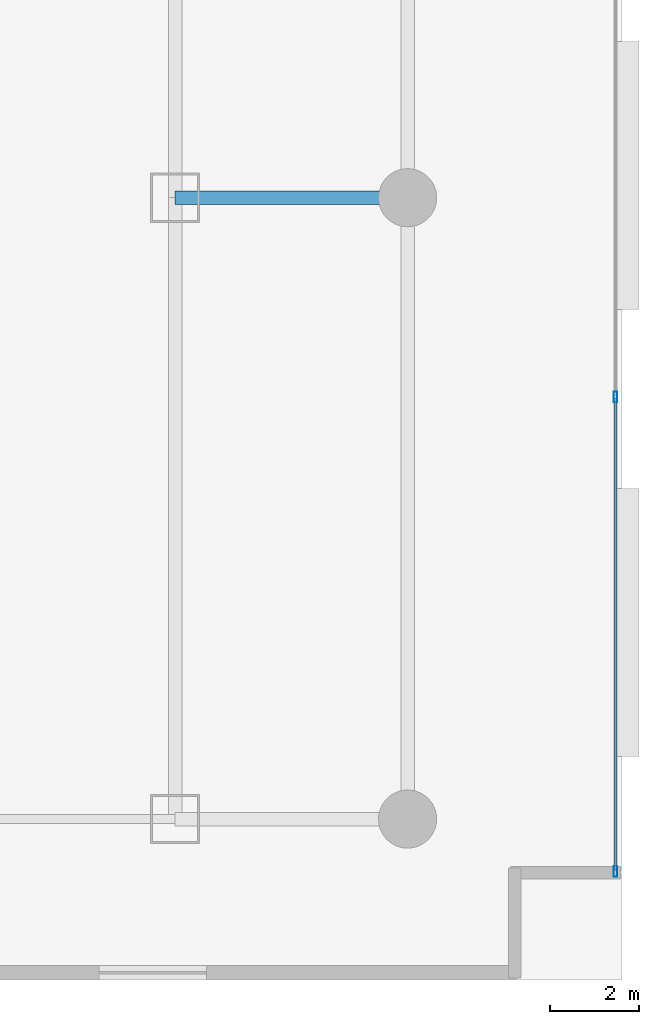
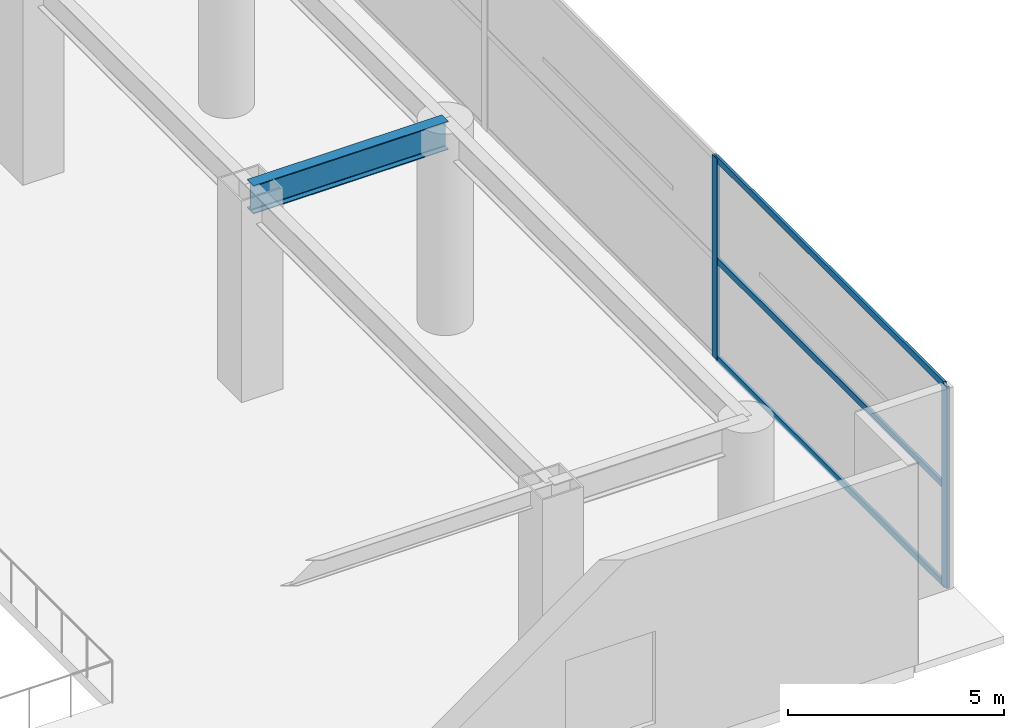
# One storey, part 4 of 20: 5 members, 1 beam, 1 element without a shape of its own.
"""IFC4 building model written with IfcOpenShell, lengths in metres."""

from ifc_helpers import new_model, si_unit, direction, frame, origin, origin_2d, place, context, subcontext, project, spatial, hollow_rectangle, i_section, extrude, material, layer, layer_set, material_profile, profile_set, type_object, element, aggregate, save


model = new_model("IFC4")

# Units and contexts
model_context = context("Model", 3, precision=1e-05, world=origin(), true_north=direction((0.0, 1.0)))
body_context = subcontext(model_context, "Body", "Model", "MODEL_VIEW")
ifc_project = project(units=[si_unit("LENGTHUNIT", "METRE"), si_unit("AREAUNIT", "SQUARE_METRE"), si_unit("VOLUMEUNIT", "CUBIC_METRE"), si_unit("PLANEANGLEUNIT", "RADIAN"), si_unit("MASSUNIT", "GRAM", prefix="KILO")], contexts=[model_context])

# Site, building, storey
site_placement = place(None, origin())
site = spatial("IfcSite", under=ifc_project, at=site_placement, CompositionType="ELEMENT")
building_placement = place(site_placement, origin())
building = spatial("IfcBuilding", under=site, at=building_placement, Name="Calvorn Quay Hotel", CompositionType="ELEMENT")
storey_placement = place(building_placement, origin())
storey = spatial("IfcBuildingStorey", under=building, at=storey_placement, Name="L00", CompositionType="ELEMENT", Elevation=0.0)

# Beam
ifc_material_1 = material(Name="Steel Q390GJC", Category="steel")
ifc_material_profile_1 = material_profile(ifc_material_1, i_section(OverallWidth=0.300048828125, OverallDepth=0.800048828125, WebThickness=0.013916015625, FlangeThickness=0.02587890625, FilletRadius=0.02392578125, at=origin_2d()), Name="HN800x300x14x26")
ifc_profile_set_1 = profile_set([ifc_material_profile_1], Name="Steel Q390GJC")
beam_type = type_object("IfcBeamType", Name="BM-GIRD-POD", PredefinedType="BEAM", material=ifc_profile_set_1)
beam_placement = place(storey_placement, frame((74.0, 17.5, 5.280029296875), z_axis=(1.0, 0.0, 0.0), x_axis=(0.0, 1.0, 0.0)))
element("IfcBeam", 1, at=beam_placement, inside=storey, type_object=beam_type, Name="Beam BG-L00-EQ2", PredefinedType="BEAM", context=body_context, shape_type="SweptSolid", body=[
    extrude(i_section(OverallWidth=0.300048828125, OverallDepth=0.800048828125, WebThickness=0.013916015625, FlangeThickness=0.02587890625, FilletRadius=0.02392578125, at=origin_2d()), origin(), (0.0, 0.0, 1.0), 5.199951171875),
])

# Curtain wall, members
ifc_material_2 = material(Name="Pale Anodised Aluminium and Low-E Glass", Category="aluminium")
ifc_layer = layer(ifc_material_2, 0.219970703125)
ifc_layer_set = layer_set([ifc_layer], Name="CW-SYS-POD")
curtain_wall_type = type_object("IfcCurtainWallType", Name="CW-SYS-POD", PredefinedType="NOTDEFINED", material=ifc_layer_set)
curtain_wall_placement = place(storey_placement, origin())
curtain_wall = element("IfcCurtainWall", 2, at=curtain_wall_placement, inside=storey, type_object=curtain_wall_type, Name="L00 Waterfront Promenade Curtain Wall", PredefinedType="NOTDEFINED")
ifc_material_3 = material(Name="Pale Anodised Aluminium 6063-T6", Category="aluminium")
ifc_material_profile_2 = material_profile(ifc_material_3, hollow_rectangle(XDim=0.080078125, YDim=0.239990234375, WallThickness=0.0048828125, at=origin_2d()), Name="ALU-M240x80x5")
ifc_profile_set_2 = profile_set([ifc_material_profile_2], Name="Pale Anodised Aluminium 6063-T6")
member_type_1 = type_object("IfcMemberType", Name="CW-SYS-POD-MUL", PredefinedType="MULLION", material=ifc_profile_set_2)
member_1_placement = place(storey_placement, frame((83.85009765625, 2.429931640625, 0.0), z_axis=(0.0, 0.0, 1.0), x_axis=(-1.0, 0.0, 0.0)))
member_1 = element("IfcMember", 3, at=member_1_placement, type_object=member_type_1, Name="CW-L00-E1 mullion 1", PredefinedType="MULLION", context=body_context, shape_type="SweptSolid", body=[
    extrude(hollow_rectangle(XDim=0.080078125, YDim=0.239990234375, WallThickness=0.0048828125, at=origin_2d()), origin(), (0.0, 0.0, 1.0), 5.679931640625),
])
member_2_placement = place(storey_placement, frame((83.85009765625, 13.0400390625, 0.0), z_axis=(0.0, 0.0, 1.0), x_axis=(-1.0, 0.0, 0.0)))
member_2 = element("IfcMember", 4, at=member_2_placement, type_object=member_type_1, Name="CW-L00-E1 mullion 2", PredefinedType="MULLION", context=body_context, shape_type="SweptSolid", body=[
    extrude(hollow_rectangle(XDim=0.080078125, YDim=0.239990234375, WallThickness=0.0048828125, at=origin_2d()), origin(), (0.0, 0.0, 1.0), 5.679931640625),
])
ifc_material_4 = material(Name="Pale Anodised Aluminium 6063-T6", Category="aluminium")
ifc_material_profile_3 = material_profile(ifc_material_4, hollow_rectangle(XDim=0.070068359375, YDim=0.179931640625, WallThickness=0.00390625, at=origin_2d()), Name="ALU-T180x70x4")
ifc_profile_set_3 = profile_set([ifc_material_profile_3], Name="Pale Anodised Aluminium 6063-T6")
member_type_2 = type_object("IfcMemberType", Name="CW-SYS-POD-TRN", PredefinedType="USERDEFINED", material=ifc_profile_set_3)
member_3_placement = place(storey_placement, frame((83.85009765625, 2.4599609375, 0.030029296875), z_axis=(0.0, 1.0, 0.0), x_axis=(-1.0, 0.0, 0.0)))
member_3 = element("IfcMember", 5, at=member_3_placement, type_object=member_type_2, Name="CW-L00-E1 transom 1.1", ObjectType="TRANSOM", PredefinedType="USERDEFINED", context=body_context, shape_type="SweptSolid", body=[
    extrude(hollow_rectangle(XDim=0.070068359375, YDim=0.179931640625, WallThickness=0.00390625, at=origin_2d()), origin(), (0.0, 0.0, 1.0), 10.550048828125),
])
member_4_placement = place(storey_placement, frame((83.85009765625, 2.4599609375, 2.800048828125), z_axis=(0.0, 1.0, 0.0), x_axis=(-1.0, 0.0, 0.0)))
member_4 = element("IfcMember", 6, at=member_4_placement, type_object=member_type_2, Name="CW-L00-E1 transom 1.2", ObjectType="TRANSOM", PredefinedType="USERDEFINED", context=body_context, shape_type="SweptSolid", body=[
    extrude(hollow_rectangle(XDim=0.070068359375, YDim=0.179931640625, WallThickness=0.00390625, at=origin_2d()), origin(), (0.0, 0.0, 1.0), 10.550048828125),
])
member_5_placement = place(storey_placement, frame((83.85009765625, 2.4599609375, 5.64990234375), z_axis=(0.0, 1.0, 0.0), x_axis=(-1.0, 0.0, 0.0)))
member_5 = element("IfcMember", 7, at=member_5_placement, type_object=member_type_2, Name="CW-L00-E1 transom 1.3", ObjectType="TRANSOM", PredefinedType="USERDEFINED", context=body_context, shape_type="SweptSolid", body=[
    extrude(hollow_rectangle(XDim=0.070068359375, YDim=0.179931640625, WallThickness=0.00390625, at=origin_2d()), origin(), (0.0, 0.0, 1.0), 10.550048828125),
])
aggregate(curtain_wall, [member_1, member_2, member_3, member_4, member_5])

save(model, "model.ifc")
